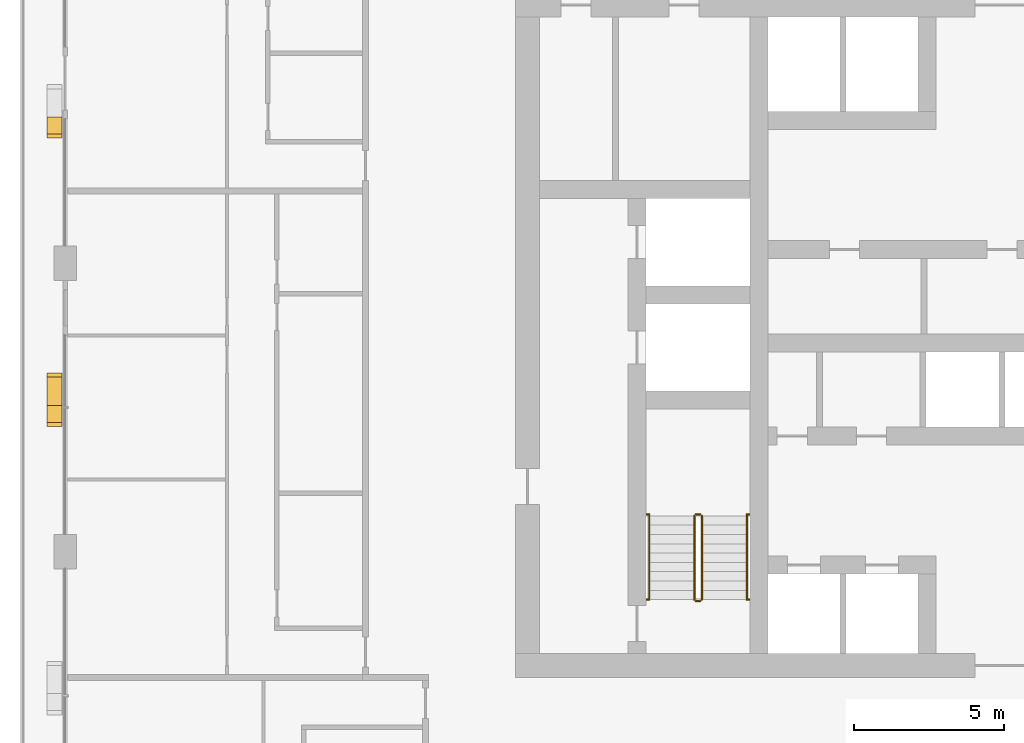
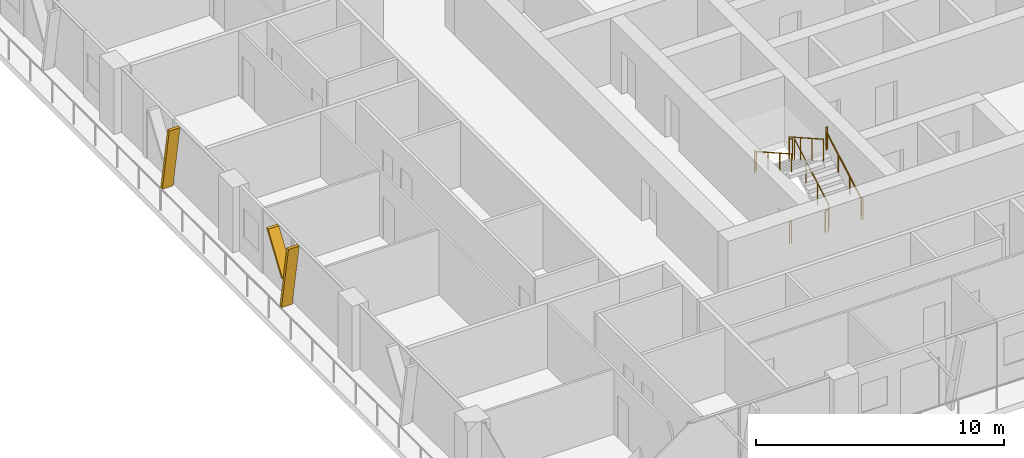
# One storey, part 18 of 23: 10 railings, 3 shading devices.
"""IFC4 building model written with IfcOpenShell, lengths in metres."""

import ifcopenshell
import ifcopenshell.guid

model = None  # the IFC model being written
_history = None  # IfcOwnerHistory: only IFC2X3 demands one
_inside = {}  # id of a spatial element -> (the spatial element, [elements in it])
_under = {}  # id of a project, library or spatial element -> (it, [spatial elements below it])
_declared = {}  # id of a project -> (the project, [libraries it declares])
_typed = {}  # id of a type object -> (the type object, [elements of that type])
_made_of = {}  # id of a material, layer set ... -> (it, [elements and type objects made of it])


def new_model(schema):
    """Start an empty IFC model of exactly this schema.

    Asked for "IFC4X3", IfcOpenShell would pick the latest addendum, in which some entities
    have other attributes; the version numbers below select the first issue.
    IFC2X3 requires an IfcOwnerHistory on every rooted entity: one is made here for all.
    """
    global model, _history
    if schema == "IFC4X3":
        model = ifcopenshell.file(schema_version=(4, 3, 0, 0))
    else:
        model = ifcopenshell.file(schema=schema)
    _inside.clear()
    _under.clear()
    _declared.clear()
    _typed.clear()
    _made_of.clear()
    _history = None
    if model.schema == "IFC2X3":
        org = make("IfcOrganization", Name="unknown")
        user = make(
            "IfcPersonAndOrganization",
            ThePerson=make("IfcPerson", FamilyName="unknown"),
            TheOrganization=org,
        )
        app = make(
            "IfcApplication",
            ApplicationDeveloper=org,
            Version="unknown",
            ApplicationFullName="unknown",
            ApplicationIdentifier="unknown",
        )
        _history = make(
            "IfcOwnerHistory",
            OwningUser=user,
            OwningApplication=app,
            ChangeAction="ADDED",
            CreationDate=0,
        )
    return model


def make(cls, **values):
    """One entity of the class cls with the attributes given. An attribute that is None is left unset."""
    return model.create_entity(
        cls, **{name: value for name, value in values.items() if value is not None}
    )


def rooted(cls, **values):
    """An entity with a GlobalId (a new one), such as an element, a storey or a relation."""
    return make(cls, GlobalId=ifcopenshell.guid.new(), OwnerHistory=_history, **values)


def si_unit(unit_type, name, prefix=None):
    """IfcSIUnit, for example si_unit("LENGTHUNIT", "METRE", prefix="MILLI")."""
    return make("IfcSIUnit", UnitType=unit_type, Prefix=prefix, Name=name)


def assignment(units):
    """IfcUnitAssignment: the units of a project."""
    return None if units is None else make("IfcUnitAssignment", Units=units)


def point(xyz):
    """IfcCartesianPoint."""
    return None if xyz is None else make("IfcCartesianPoint", Coordinates=xyz)


def direction(xyz):
    """IfcDirection."""
    return None if xyz is None else make("IfcDirection", DirectionRatios=xyz)


def frame(location, z_axis=None, x_axis=None):
    """IfcAxis2Placement3D, a coordinate frame: its origin and axes. An axis left out is left unset."""
    return make(
        "IfcAxis2Placement3D",
        Location=point(location),
        Axis=direction(z_axis),
        RefDirection=direction(x_axis),
    )


def frame_2d(location, x_axis=None):
    """IfcAxis2Placement2D, a coordinate frame in the plane: its origin and x axis."""
    return make(
        "IfcAxis2Placement2D", Location=point(location), RefDirection=direction(x_axis)
    )


def origin():
    """The frame at (0, 0, 0) with its axes left unset."""
    return frame((0.0, 0.0, 0.0))


def origin_2d():
    """The frame at (0, 0) in the plane with its x axis left unset."""
    return frame_2d((0.0, 0.0))


def place(relative_to, where):
    """IfcLocalPlacement: puts the frame where relative to a parent placement (None: the world)."""
    return make(
        "IfcLocalPlacement", PlacementRelTo=relative_to, RelativePlacement=where
    )


def context(
    kind, dimensions, precision=None, world=None, true_north=None, identifier=None
):
    """IfcGeometricRepresentationContext, for example the 3D "Model" context."""
    return make(
        "IfcGeometricRepresentationContext",
        ContextIdentifier=identifier,
        ContextType=kind,
        CoordinateSpaceDimension=dimensions,
        Precision=precision,
        WorldCoordinateSystem=world,
        TrueNorth=true_north,
    )


def subcontext(parent, identifier, kind, view, scale=None):
    """IfcGeometricRepresentationSubContext, for example "Body" below "Model"."""
    return make(
        "IfcGeometricRepresentationSubContext",
        ContextIdentifier=identifier,
        ContextType=kind,
        ParentContext=parent,
        TargetScale=scale,
        TargetView=view,
    )


def project(units=None, contexts=None):
    """IfcProject with its units and contexts."""
    return rooted(
        "IfcProject",
        Name="project",
        RepresentationContexts=contexts,
        UnitsInContext=assignment(units),
    )


def spatial(cls, under=None, at=None, **own):
    """A site, building, storey or space (cls), placed at a placement, below another one or the project."""
    s = rooted(cls, ObjectPlacement=at, **own)
    if under is not None:
        _under.setdefault(under.id(), (under, []))[1].append(s)
    return s


def polyline(points):
    """IfcPolyline through the points."""
    return make("IfcPolyline", Points=[point(p) for p in points])


def profile(cls, at=None, kind="AREA", **sizes):
    """A parametric profile (cls). Its sizes go by their IFC names, for example OverallWidth=200.0."""
    return make(cls, ProfileType=kind, Position=at, **sizes)


def circle(**sizes):
    """IfcCircleProfileDef."""
    return profile("IfcCircleProfileDef", **sizes)


def outline(outer, holes=None, kind="AREA"):
    """IfcArbitraryClosedProfileDef: a profile drawn as a closed curve; with holes, ...WithVoids."""
    if holes is None:
        return make("IfcArbitraryClosedProfileDef", ProfileType=kind, OuterCurve=outer)
    return make(
        "IfcArbitraryProfileDefWithVoids",
        ProfileType=kind,
        OuterCurve=outer,
        InnerCurves=holes,
    )


def extrude(swept, where, along, depth):
    """IfcExtrudedAreaSolid: the profile swept, set in the frame where, extruded along a direction by depth."""
    return make(
        "IfcExtrudedAreaSolid",
        SweptArea=swept,
        Position=where,
        ExtrudedDirection=direction(along),
        Depth=depth,
    )


def shape(context_of_items, identifier, shape_type, items):
    """IfcShapeRepresentation: the items that make up one representation, for example the "Body"."""
    return make(
        "IfcShapeRepresentation",
        ContextOfItems=context_of_items,
        RepresentationIdentifier=identifier,
        RepresentationType=shape_type,
        Items=items,
    )


def material(Name=None, Category=None):
    """IfcMaterial."""
    return make("IfcMaterial", Name=Name, Category=Category)


def made_of(thing, what):
    """Note that an element or type object is made of a material, layer set ...; save() writes the relation."""
    if what is not None:
        _made_of.setdefault(what.id(), (what, []))[1].append(thing)
    return thing


def type_object(cls, material=None, **own):
    """A type object (cls), such as IfcWallType, which elements share."""
    return made_of(rooted(cls, **own), material)


def element(
    cls,
    number,
    at=None,
    inside=None,
    cuts=None,
    type_object=None,
    material=None,
    context=None,
    identifier="Body",
    shape_type=None,
    held_by="IfcProductDefinitionShape",
    body=None,
    shapes=None,
    **own,
):
    """One element of the class cls, such as IfcWall. Its Tag is "e" and its number.

    at: its placement. inside: the storey or other place that contains it. cuts: it is an
    opening in that element (IfcRelVoidsElement). A single representation is given by context,
    identifier, shape_type and body (its items); several are given by shapes. held_by: the class
    of the entity that holds the representations. save() writes the other relations.
    """
    e = rooted(cls, Tag="e%d" % number, ObjectPlacement=at, **own)
    if body is not None:
        shapes = [shape(context, identifier, shape_type, body)]
    if shapes is not None:
        e.Representation = make(held_by, Representations=shapes)
    if inside is not None:
        _inside.setdefault(inside.id(), (inside, []))[1].append(e)
    if cuts is not None:
        rooted(
            "IfcRelVoidsElement", RelatingBuildingElement=cuts, RelatedOpeningElement=e
        )
    if type_object is not None:
        _typed.setdefault(type_object.id(), (type_object, []))[1].append(e)
    return made_of(e, material)


def aggregate(whole, parts):
    """IfcRelAggregates: a whole, such as a stair, and the parts it consists of."""
    return rooted("IfcRelAggregates", RelatingObject=whole, RelatedObjects=parts)


def save(model, path):
    """Write the relations noted so far, then the file.

    IfcRelAggregates (storeys below a building ...), IfcRelContainedInSpatialStructure (elements
    in a storey), IfcRelDefinesByType, IfcRelAssociatesMaterial and IfcRelDeclares: one each for
    every whole, place, type object, material and project.
    """
    for whole, parts in _under.values():
        aggregate(whole, parts)
    for where, things in _inside.values():
        rooted(
            "IfcRelContainedInSpatialStructure",
            RelatedElements=things,
            RelatingStructure=where,
        )
    for kind, things in _typed.values():
        rooted("IfcRelDefinesByType", RelatedObjects=things, RelatingType=kind)
    for what, things in _made_of.values():
        rooted("IfcRelAssociatesMaterial", RelatedObjects=things, RelatingMaterial=what)
    for by, libraries in _declared.values():
        rooted("IfcRelDeclares", RelatingContext=by, RelatedDefinitions=libraries)
    model.write(path)


model = new_model("IFC4")

# Units and contexts
model_context = context("Model", 3, precision=1e-05, world=origin(), true_north=direction((0.0, 1.0)))
body_context = subcontext(model_context, "Body", "Model", "MODEL_VIEW")
ifc_project = project(units=[si_unit("LENGTHUNIT", "METRE"), si_unit("AREAUNIT", "SQUARE_METRE"), si_unit("VOLUMEUNIT", "CUBIC_METRE"), si_unit("PLANEANGLEUNIT", "RADIAN"), si_unit("MASSUNIT", "GRAM", prefix="KILO")], contexts=[model_context])

# Site, building, storey
site_placement = place(None, origin())
site = spatial("IfcSite", under=ifc_project, at=site_placement, CompositionType="ELEMENT")
building_placement = place(site_placement, origin())
building = spatial("IfcBuilding", under=site, at=building_placement, Name="Madar Terraces", CompositionType="ELEMENT")
storey_placement = place(building_placement, frame((0.0, 0.0, 133.10009765625)))
storey = spatial("IfcBuildingStorey", under=building, at=storey_placement, Name="L34", CompositionType="ELEMENT", Elevation=133.10009765625)

# Shading devices
ifc_material_1 = material(Name="Aluminium, black anodised", Category="aluminium")
shading_device_type = type_object("IfcShadingDeviceType", Name="Facade fin blade 140 x 500", PredefinedType="USERDEFINED", material=ifc_material_1)
shading_device_1_placement = place(storey_placement, frame((-0.35009765625, 33.669921875, 0.0), z_axis=(0.0, 0.0, 1.0), x_axis=(0.0, -1.0, 0.0)))
element("IfcShadingDevice", 1, at=shading_device_1_placement, inside=storey, type_object=shading_device_type, Name="FIN L34 W2", ObjectType="FIN", PredefinedType="USERDEFINED", context=body_context, shape_type="SweptSolid", body=[
    extrude(outline(polyline([(0.0, 0.0), (0.139892578125, 0.0), (0.704345703125, 3.199951171875), (0.564208984375, 3.199951171875), (0.0, 0.0)])), frame((0.0, 0.25, 0.0), z_axis=(0.0, -1.0, 0.0), x_axis=(1.0, 0.0, 0.0)), (0.0, 0.0, 1.0), 0.5),
])
shading_device_2_placement = place(storey_placement, frame((-0.35009765625, 24.070068359375, 0.0), z_axis=(0.0, 0.0, 1.0), x_axis=(0.0, -1.0, 0.0)))
element("IfcShadingDevice", 2, at=shading_device_2_placement, inside=storey, type_object=shading_device_type, Name="FIN L34 W3", ObjectType="FIN", PredefinedType="USERDEFINED", context=body_context, shape_type="SweptSolid", body=[
    extrude(outline(polyline([(0.0, 0.0), (0.14013671875, 0.0), (0.704345703125, 3.199951171875), (0.564208984375, 3.199951171875), (0.0, 0.0)])), frame((0.0, 0.25, 0.0), z_axis=(0.0, -1.0, 0.0), x_axis=(1.0, 0.0, 0.0)), (0.0, 0.0, 1.0), 0.5),
])
shading_device_3_placement = place(storey_placement, frame((-0.35009765625, 23.9560546875, 1.43994140625), z_axis=(0.0, 0.0, 1.0), x_axis=(0.0, -1.0, 0.0)))
element("IfcShadingDevice", 3, at=shading_device_3_placement, inside=storey, type_object=shading_device_type, Name="FIN L34 W3 branch", ObjectType="FIN", PredefinedType="USERDEFINED", context=body_context, shape_type="SweptSolid", body=[
    extrude(outline(polyline([(0.0, 0.0), (0.139892578125, 0.0), (-1.049560546875, 1.760009765625), (-1.189697265625, 1.760009765625), (0.0, 0.0)])), frame((0.0, 0.25, 0.0), z_axis=(0.0, -1.0, 0.0), x_axis=(1.0, 0.0, 0.0)), (0.0, 0.0, 1.0), 0.5),
])

# Railings
ifc_material_2 = material(Name="Stainless steel railing", Category="steel")
railing_type_1 = type_object("IfcRailingType", Name="Stair guard 1100", PredefinedType="GUARDRAIL", material=ifc_material_2)
railing_1_placement = place(storey_placement, frame((21.199951171875, 17.60009765625, 0.1748046875)))
element("IfcRailing", 4, at=railing_1_placement, inside=storey, type_object=railing_type_1, Name="L34 ST1 stair guard 1", PredefinedType="GUARDRAIL", context=body_context, shape_type="SweptSolid", body=[
    extrude(circle(Radius=0.02392578125, at=origin_2d()), frame((0.0, 0.0, 1.076171875), z_axis=(0.0, 0.870782738816, 0.491667999549), x_axis=(-1.0, 0.0, 0.0)), (0.0, 0.0, 1.0), 3.203857421875),
    extrude(circle(Radius=0.02099609375, at=origin_2d()), origin(), (0.0, 0.0, 1.0), 1.052001953125),
    extrude(circle(Radius=0.02099609375, at=origin_2d()), frame((0.0, 0.929931640625, 0.525146484375)), (0.0, 0.0, 1.0), 1.052001953125),
    extrude(circle(Radius=0.02099609375, at=origin_2d()), frame((0.0, 1.85986328125, 1.050048828125)), (0.0, 0.0, 1.0), 1.052001953125),
    extrude(circle(Radius=0.02099609375, at=origin_2d()), frame((0.0, 2.789794921875, 1.5751953125)), (0.0, 0.0, 1.0), 1.052001953125),
])
railing_2_placement = place(storey_placement, frame((21.14990234375, 20.43994140625, 1.75)))
element("IfcRailing", 5, at=railing_2_placement, inside=storey, type_object=railing_type_1, Name="L34 ST1 stair guard 2", PredefinedType="GUARDRAIL", context=body_context, shape_type="SweptSolid", body=[
    extrude(circle(Radius=0.02392578125, at=origin_2d()), frame((0.0, 0.0, 1.076171875), z_axis=(-1.0, 0.0, 0.0), x_axis=(0.0, -1.0, 0.0)), (0.0, 0.0, 1.0), 0.14990234375),
    extrude(circle(Radius=0.02099609375, at=origin_2d()), origin(), (0.0, 0.0, 1.0), 1.052001953125),
    extrude(circle(Radius=0.02099609375, at=origin_2d()), frame((-0.14990234375, 0.0, 0.0)), (0.0, 0.0, 1.0), 1.052001953125),
])
railing_3_placement = place(storey_placement, frame((20.949951171875, 20.389892578125, 1.9248046875)))
element("IfcRailing", 6, at=railing_3_placement, inside=storey, type_object=railing_type_1, Name="L34 ST1 stair guard 3", PredefinedType="GUARDRAIL", context=body_context, shape_type="SweptSolid", body=[
    extrude(circle(Radius=0.02392578125, at=origin_2d()), frame((0.0, 0.0, 1.076171875), z_axis=(0.0, -0.870782738816, 0.491667999549), x_axis=(1.0, 0.0, 0.0)), (0.0, 0.0, 1.0), 3.203857421875),
    extrude(circle(Radius=0.02099609375, at=origin_2d()), origin(), (0.0, 0.0, 1.0), 1.052001953125),
    extrude(circle(Radius=0.02099609375, at=origin_2d()), frame((0.0, -0.929931640625, 0.525146484375)), (0.0, 0.0, 1.0), 1.052001953125),
    extrude(circle(Radius=0.02099609375, at=origin_2d()), frame((0.0, -1.85986328125, 1.050048828125)), (0.0, 0.0, 1.0), 1.052001953125),
    extrude(circle(Radius=0.02099609375, at=origin_2d()), frame((0.0, -2.789794921875, 1.5751953125)), (0.0, 0.0, 1.0), 1.052001953125),
])
railing_4_placement = place(storey_placement, frame((21.14990234375, 17.550048828125, 0.0)))
element("IfcRailing", 7, at=railing_4_placement, inside=storey, type_object=railing_type_1, Name="L34 ST1 stair guard 4", PredefinedType="GUARDRAIL", context=body_context, shape_type="SweptSolid", body=[
    extrude(circle(Radius=0.02392578125, at=origin_2d()), frame((0.0, 0.0, 1.076171875), z_axis=(-1.0, 0.0, 0.0), x_axis=(0.0, -1.0, 0.0)), (0.0, 0.0, 1.0), 0.14990234375),
    extrude(circle(Radius=0.02099609375, at=origin_2d()), origin(), (0.0, 0.0, 1.0), 1.052001953125),
    extrude(circle(Radius=0.02099609375, at=origin_2d()), frame((-0.14990234375, 0.0, 0.0)), (0.0, 0.0, 1.0), 1.052001953125),
])
railing_5_placement = place(storey_placement, frame((19.3701171875, 20.43994140625, 1.75)))
element("IfcRailing", 8, at=railing_5_placement, inside=storey, type_object=railing_type_1, Name="L34 stair guard seat 1", PredefinedType="GUARDRAIL", context=body_context, shape_type="SweptSolid", body=[
    extrude(circle(Radius=0.02392578125, at=origin_2d()), frame((0.0, 0.0, 1.076171875), z_axis=(1.0, 0.0, 0.0), x_axis=(0.0, 1.0, 0.0)), (0.0, 0.0, 1.0), 0.079833984375),
    extrude(circle(Radius=0.02099609375, at=origin_2d()), origin(), (0.0, 0.0, 1.0), 1.052001953125),
    extrude(circle(Radius=0.02099609375, at=origin_2d()), frame((0.079833984375, 0.0, 0.0)), (0.0, 0.0, 1.0), 1.052001953125),
])
railing_6_placement = place(storey_placement, frame((22.699951171875, 20.43994140625, 1.75)))
element("IfcRailing", 9, at=railing_6_placement, inside=storey, type_object=railing_type_1, Name="L34 stair guard seat 2", PredefinedType="GUARDRAIL", context=body_context, shape_type="SweptSolid", body=[
    extrude(circle(Radius=0.02392578125, at=origin_2d()), frame((0.0, 0.0, 1.076171875), z_axis=(1.0, 0.0, 0.0), x_axis=(0.0, 1.0, 0.0)), (0.0, 0.0, 1.0), 0.080078125),
    extrude(circle(Radius=0.02099609375, at=origin_2d()), origin(), (0.0, 0.0, 1.0), 1.052001953125),
    extrude(circle(Radius=0.02099609375, at=origin_2d()), frame((0.080078125, 0.0, 0.0)), (0.0, 0.0, 1.0), 1.052001953125),
])
railing_7_placement = place(storey_placement, frame((19.3701171875, 17.60009765625, 0.0)))
element("IfcRailing", 10, at=railing_7_placement, inside=storey, type_object=railing_type_1, Name="L34 stair guard floor 1", PredefinedType="GUARDRAIL", context=body_context, shape_type="SweptSolid", body=[
    extrude(circle(Radius=0.02392578125, at=origin_2d()), frame((0.0, 0.0, 1.076171875), z_axis=(1.0, 0.0, 0.0), x_axis=(0.0, 1.0, 0.0)), (0.0, 0.0, 1.0), 0.079833984375),
    extrude(circle(Radius=0.02099609375, at=origin_2d()), origin(), (0.0, 0.0, 1.0), 1.052001953125),
    extrude(circle(Radius=0.02099609375, at=origin_2d()), frame((0.079833984375, 0.0, 0.0)), (0.0, 0.0, 1.0), 1.052001953125),
])
railing_8_placement = place(storey_placement, frame((22.699951171875, 17.60009765625, 0.0)))
element("IfcRailing", 11, at=railing_8_placement, inside=storey, type_object=railing_type_1, Name="L34 stair guard floor 2", PredefinedType="GUARDRAIL", context=body_context, shape_type="SweptSolid", body=[
    extrude(circle(Radius=0.02392578125, at=origin_2d()), frame((0.0, 0.0, 1.076171875), z_axis=(1.0, 0.0, 0.0), x_axis=(0.0, 1.0, 0.0)), (0.0, 0.0, 1.0), 0.080078125),
    extrude(circle(Radius=0.02099609375, at=origin_2d()), origin(), (0.0, 0.0, 1.0), 1.052001953125),
    extrude(circle(Radius=0.02099609375, at=origin_2d()), frame((0.080078125, 0.0, 0.0)), (0.0, 0.0, 1.0), 1.052001953125),
])
ifc_material_3 = material(Name="Stainless steel railing", Category="steel")
railing_type_2 = type_object("IfcRailingType", Name="Stair handrail 900", PredefinedType="HANDRAIL", material=ifc_material_3)
railing_9_placement = place(storey_placement, frame((22.699951171875, 17.60009765625, 0.1748046875)))
element("IfcRailing", 12, at=railing_9_placement, inside=storey, type_object=railing_type_2, Name="L34 ST1 stair handrail 1", PredefinedType="HANDRAIL", context=body_context, shape_type="SweptSolid", body=[
    extrude(circle(Radius=0.02392578125, at=origin_2d()), frame((0.0, 0.0, 0.8759765625), z_axis=(0.0, 0.870782738816, 0.491667999549), x_axis=(-1.0, 0.0, 0.0)), (0.0, 0.0, 1.0), 3.203857421875),
    extrude(circle(Radius=0.02099609375, at=origin_2d()), origin(), (0.0, 0.0, 1.0), 0.851806640625),
    extrude(circle(Radius=0.02099609375, at=origin_2d()), frame((0.0, 0.929931640625, 0.525146484375)), (0.0, 0.0, 1.0), 0.851806640625),
    extrude(circle(Radius=0.02099609375, at=origin_2d()), frame((0.0, 1.85986328125, 1.050048828125)), (0.0, 0.0, 1.0), 0.851806640625),
    extrude(circle(Radius=0.02099609375, at=origin_2d()), frame((0.0, 2.789794921875, 1.5751953125)), (0.0, 0.0, 1.0), 0.851806640625),
])
railing_10_placement = place(storey_placement, frame((19.449951171875, 20.389892578125, 1.9248046875)))
element("IfcRailing", 13, at=railing_10_placement, inside=storey, type_object=railing_type_2, Name="L34 ST1 stair handrail 2", PredefinedType="HANDRAIL", context=body_context, shape_type="SweptSolid", body=[
    extrude(circle(Radius=0.02392578125, at=origin_2d()), frame((0.0, 0.0, 0.8759765625), z_axis=(0.0, -0.870782738816, 0.491667999549), x_axis=(1.0, 0.0, 0.0)), (0.0, 0.0, 1.0), 3.203857421875),
    extrude(circle(Radius=0.02099609375, at=origin_2d()), origin(), (0.0, 0.0, 1.0), 0.851806640625),
    extrude(circle(Radius=0.02099609375, at=origin_2d()), frame((0.0, -0.929931640625, 0.525146484375)), (0.0, 0.0, 1.0), 0.851806640625),
    extrude(circle(Radius=0.02099609375, at=origin_2d()), frame((0.0, -1.85986328125, 1.050048828125)), (0.0, 0.0, 1.0), 0.851806640625),
    extrude(circle(Radius=0.02099609375, at=origin_2d()), frame((0.0, -2.789794921875, 1.5751953125)), (0.0, 0.0, 1.0), 0.851806640625),
])

save(model, "model.ifc")
